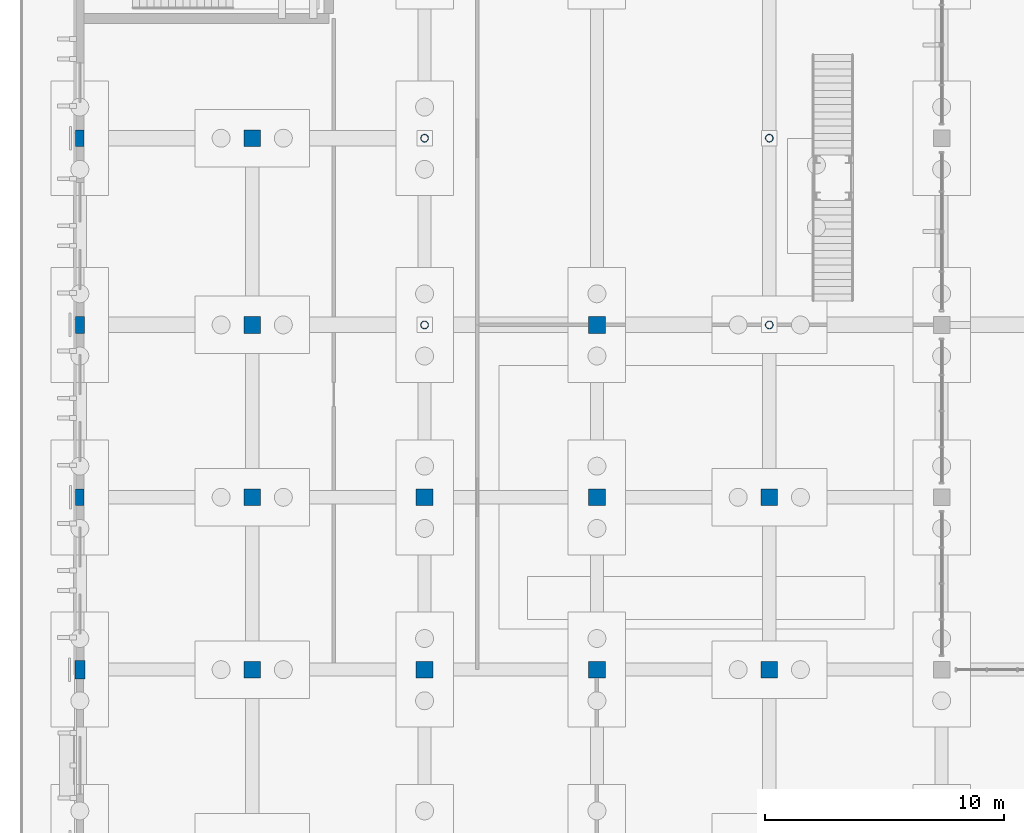
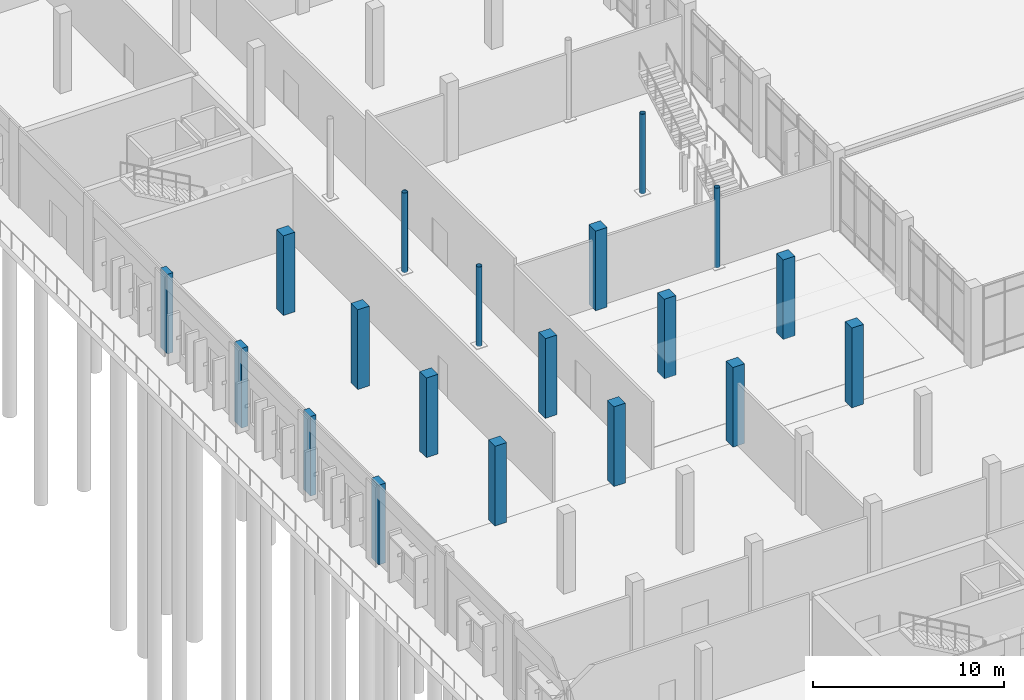
# One storey, part 17 of 94: 19 columns.
"""IFC4 building model written with IfcOpenShell, lengths in metres."""

from ifc_helpers import new_model, si_unit, direction, frame, origin, origin_2d, place, context, subcontext, project, spatial, rectangle, hollow_circle, extrude, material, material_profile, profile_set, type_object, element, save


model = new_model("IFC4")

# Units and contexts
model_context = context("Model", 3, precision=1e-05, world=origin(), true_north=direction((0.0, 1.0)))
body_context = subcontext(model_context, "Body", "Model", "MODEL_VIEW")
ifc_project = project(units=[si_unit("LENGTHUNIT", "METRE"), si_unit("AREAUNIT", "SQUARE_METRE"), si_unit("VOLUMEUNIT", "CUBIC_METRE"), si_unit("PLANEANGLEUNIT", "RADIAN"), si_unit("MASSUNIT", "GRAM", prefix="KILO")], contexts=[model_context])

# Site, building, storey
site_placement = place(None, origin())
site = spatial("IfcSite", under=ifc_project, at=site_placement, CompositionType="ELEMENT")
building_placement = place(site_placement, origin())
building = spatial("IfcBuilding", under=site, at=building_placement, Name="Vervanel Yard Central Library", CompositionType="ELEMENT")
storey_placement = place(building_placement, origin())
storey = spatial("IfcBuildingStorey", under=building, at=storey_placement, Name="L00", CompositionType="ELEMENT", Elevation=0.0)

# Columns
ifc_material_1 = material(Name="Steel ASTM A500 Grade C", Category="steel")
ifc_material_profile_1 = material_profile(ifc_material_1, hollow_circle(Radius=0.161865234375, WallThickness=0.01171875, at=origin_2d()), Name="HSS12.750X0.500", Category="steel")
ifc_profile_set_1 = profile_set([ifc_material_profile_1], Name="Steel ASTM A500 Grade C")
column_type_1 = type_object("IfcColumnType", Name="Atrium Column HSS12.750X0.500", PredefinedType="COLUMN", material=ifc_profile_set_1)
for number, where, z_axis, x_axis, name in (
    (1, (14.39990234375, 43.199951171875, 0.0), (0.0, 0.0, 1.0), (1.0, 0.0, 0.0), "L00 Atrium Column HSS12.750X0.500 (14.4, 43.2)"),
    (2, (14.39990234375, 51.0, 0.0), (0.0, 0.0, 1.0), (1.0, 0.0, 0.0), "L00 Atrium Column HSS12.750X0.500 (14.4, 51.0)"),
    (3, (28.800048828125, 43.199951171875, 0.0), (0.0, 0.0, 1.0), (1.0, 0.0, 0.0), "L00 Atrium Column HSS12.750X0.500 (28.8, 43.2)"),
    (4, (28.800048828125, 51.0, 0.0), (0.0, 0.0, 1.0), (1.0, 0.0, 0.0), "L00 Atrium Column HSS12.750X0.500 (28.8, 51.0)"),
):
    element("IfcColumn", number, at=place(storey_placement, frame(where, z_axis=z_axis, x_axis=x_axis)), inside=storey, type_object=column_type_1, Name=name, PredefinedType="COLUMN", context=body_context, shape_type="SweptSolid", body=[
        extrude(hollow_circle(Radius=0.161865234375, WallThickness=0.01171875, at=origin_2d()), origin(), (0.0, 0.0, 1.0), 5.10009765625),
    ])
ifc_material_2 = material(Name="Concrete C40/50", Category="concrete")
ifc_material_profile_2 = material_profile(ifc_material_2, rectangle(XDim=0.699951171875, YDim=0.699951171875, at=origin_2d()), Name="RC 700x700", Category="concrete")
ifc_profile_set_2 = profile_set([ifc_material_profile_2], Name="Concrete C40/50")
column_type_2 = type_object("IfcColumnType", Name="Concrete Column 700x700", PredefinedType="COLUMN", material=ifc_profile_set_2)
for number, where, z_axis, x_axis, name in (
    (5, (7.199951171875, 28.800048828125, 0.0), (0.0, 0.0, 1.0), (1.0, 0.0, 0.0), "L00 Concrete Column 700x700 (7.2, 28.8)"),
    (6, (7.199951171875, 36.0, 0.0), (0.0, 0.0, 1.0), (1.0, 0.0, 0.0), "L00 Concrete Column 700x700 (7.2, 36.0)"),
    (7, (7.199951171875, 43.199951171875, 0.0), (0.0, 0.0, 1.0), (1.0, 0.0, 0.0), "L00 Concrete Column 700x700 (7.2, 43.2)"),
    (8, (7.199951171875, 51.0, 0.0), (0.0, 0.0, 1.0), (1.0, 0.0, 0.0), "L00 Concrete Column 700x700 (7.2, 51.0)"),
    (9, (14.39990234375, 28.800048828125, 0.0), (0.0, 0.0, 1.0), (1.0, 0.0, 0.0), "L00 Concrete Column 700x700 (14.4, 28.8)"),
    (10, (14.39990234375, 36.0, 0.0), (0.0, 0.0, 1.0), (1.0, 0.0, 0.0), "L00 Concrete Column 700x700 (14.4, 36.0)"),
    (11, (21.60009765625, 28.800048828125, 0.0), (0.0, 0.0, 1.0), (1.0, 0.0, 0.0), "L00 Concrete Column 700x700 (21.6, 28.8)"),
    (12, (21.60009765625, 36.0, 0.0), (0.0, 0.0, 1.0), (1.0, 0.0, 0.0), "L00 Concrete Column 700x700 (21.6, 36.0)"),
    (13, (21.60009765625, 43.199951171875, 0.0), (0.0, 0.0, 1.0), (1.0, 0.0, 0.0), "L00 Concrete Column 700x700 (21.6, 43.2)"),
    (14, (28.800048828125, 28.800048828125, 0.0), (0.0, 0.0, 1.0), (1.0, 0.0, 0.0), "L00 Concrete Column 700x700 (28.8, 28.8)"),
    (15, (28.800048828125, 36.0, 0.0), (0.0, 0.0, 1.0), (1.0, 0.0, 0.0), "L00 Concrete Column 700x700 (28.8, 36.0)"),
):
    element("IfcColumn", number, at=place(storey_placement, frame(where, z_axis=z_axis, x_axis=x_axis)), inside=storey, type_object=column_type_2, Name=name, PredefinedType="COLUMN", context=body_context, shape_type="SweptSolid", body=[
        extrude(rectangle(XDim=0.699951171875, YDim=0.699951171875, at=origin_2d()), origin(), (0.0, 0.0, 1.0), 5.10009765625),
    ])
ifc_material_profile_3 = material_profile(ifc_material_2, rectangle(XDim=0.35009765625, YDim=0.699951171875, at=origin_2d()), Name="RC 350x700", Category="concrete")
ifc_profile_set_3 = profile_set([ifc_material_profile_3], Name="Concrete C40/50")
column_type_3 = type_object("IfcColumnType", Name="Perimeter Pilaster 350x700", PredefinedType="PILASTER", material=ifc_profile_set_3)
for number, where, z_axis, x_axis, name in (
    (16, (0.0, 36.0, 0.0), (0.0, 0.0, 1.0), (1.0, 0.0, 0.0), "L00 Perimeter Pilaster 350x700 (0.0, 36.0)"),
    (17, (0.0, 51.0, 0.0), (0.0, 0.0, 1.0), (1.0, 0.0, 0.0), "L00 Perimeter Pilaster 350x700 (0.0, 51.0)"),
):
    element("IfcColumn", number, at=place(storey_placement, frame(where, z_axis=z_axis, x_axis=x_axis)), inside=storey, type_object=column_type_3, Name=name, PredefinedType="PILASTER", context=body_context, shape_type="SweptSolid", body=[
        extrude(rectangle(XDim=0.35009765625, YDim=0.699951171875, at=origin_2d()), origin(), (0.0, 0.0, 1.0), 5.10009765625),
    ])
ifc_material_profile_4 = material_profile(ifc_material_2, rectangle(XDim=0.3798828125, YDim=0.719970703125, at=origin_2d()), Name="RC 380x720", Category="concrete")
ifc_profile_set_4 = profile_set([ifc_material_profile_4], Name="Concrete C40/50")
column_type_4 = type_object("IfcColumnType", Name="Perimeter Pilaster 380x720", PredefinedType="PILASTER", material=ifc_profile_set_4)
column_1_placement = place(storey_placement, frame((0.0, 43.199951171875, 0.0), z_axis=(0.0, 0.0, 1.0), x_axis=(1.0, 0.0, 0.0)))
element("IfcColumn", 18, at=column_1_placement, inside=storey, type_object=column_type_4, Name="L00 Perimeter Pilaster 380x720 (0.0, 43.2)", PredefinedType="PILASTER", context=body_context, shape_type="SweptSolid", body=[
    extrude(rectangle(XDim=0.3798828125, YDim=0.719970703125, at=origin_2d()), origin(), (0.0, 0.0, 1.0), 5.10009765625),
])
ifc_material_profile_5 = material_profile(ifc_material_2, rectangle(XDim=0.419921875, YDim=0.780029296875, at=origin_2d()), Name="RC 420x780", Category="concrete")
ifc_profile_set_5 = profile_set([ifc_material_profile_5], Name="Concrete C40/50")
column_type_5 = type_object("IfcColumnType", Name="Perimeter Pilaster 420x780", PredefinedType="PILASTER", material=ifc_profile_set_5)
column_2_placement = place(storey_placement, frame((0.0, 28.800048828125, 0.0), z_axis=(0.0, 0.0, 1.0), x_axis=(1.0, 0.0, 0.0)))
element("IfcColumn", 19, at=column_2_placement, inside=storey, type_object=column_type_5, Name="L00 Perimeter Pilaster 420x780 (0.0, 28.8)", PredefinedType="PILASTER", context=body_context, shape_type="SweptSolid", body=[
    extrude(rectangle(XDim=0.419921875, YDim=0.780029296875, at=origin_2d()), origin(), (0.0, 0.0, 1.0), 5.10009765625),
])

save(model, "model.ifc")
